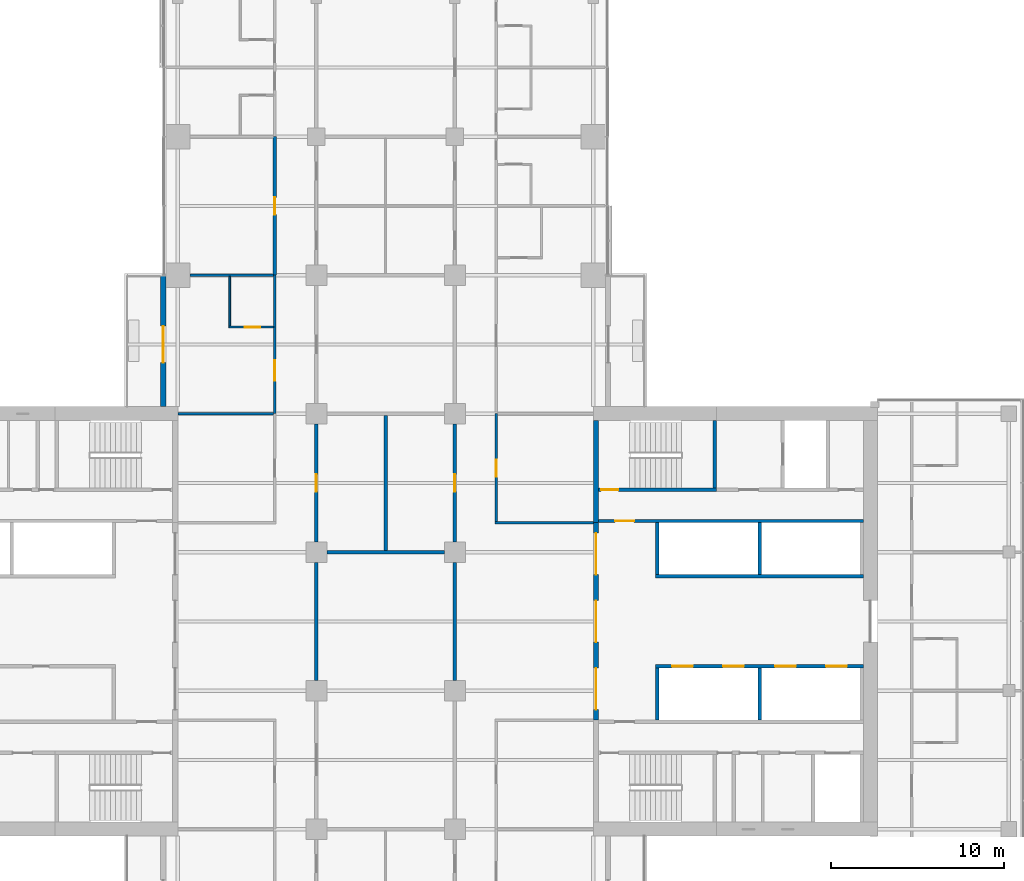
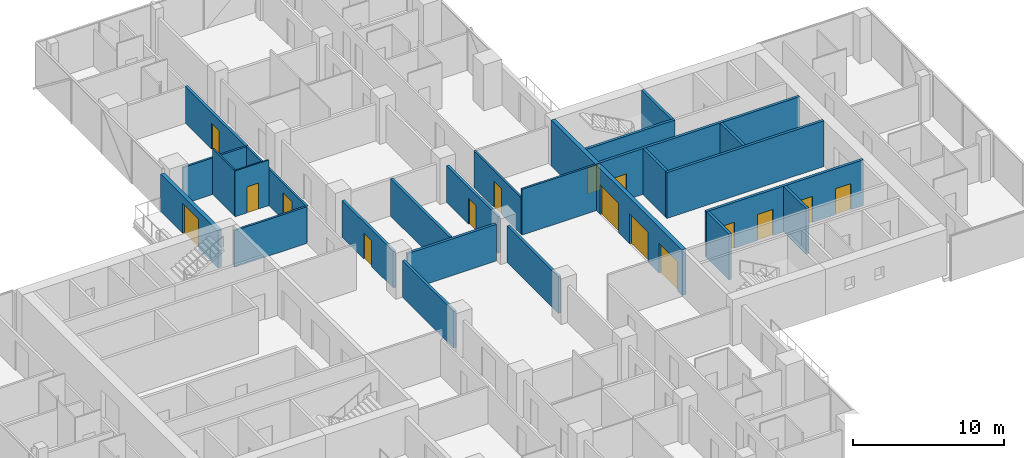
# One storey, part 19 of 27: 26 walls, 16 doors, 16 openings.
"""IFC4 building model written with IfcOpenShell, lengths in metres."""

from ifc_helpers import new_model, si_unit, direction, frame, frame_2d, origin, place, context, subcontext, project, spatial, rectangle, extrude, material, layer, layer_set, type_object, element, fill, save


model = new_model("IFC4")

# Units and contexts
model_context = context("Model", 3, precision=1e-05, world=origin(), true_north=direction((0.0, 1.0)))
body_context = subcontext(model_context, "Body", "Model", "MODEL_VIEW")
ifc_project = project(units=[si_unit("LENGTHUNIT", "METRE"), si_unit("AREAUNIT", "SQUARE_METRE"), si_unit("VOLUMEUNIT", "CUBIC_METRE"), si_unit("PLANEANGLEUNIT", "RADIAN"), si_unit("MASSUNIT", "GRAM", prefix="KILO")], contexts=[model_context])

# Site, building, storey
site_placement = place(None, origin())
site = spatial("IfcSite", under=ifc_project, at=site_placement, CompositionType="ELEMENT")
building_placement = place(site_placement, origin())
building = spatial("IfcBuilding", under=site, at=building_placement, Name="Crosswind Convention Tower", CompositionType="ELEMENT")
storey_placement = place(building_placement, frame((0.0, 0.0, 79.39990234375)))
storey = spatial("IfcBuildingStorey", under=building, at=storey_placement, Name="L14", CompositionType="ELEMENT", Elevation=79.39990234375)

# Wall
ifc_material_1 = material(Name="Plasterboard partition", Category="gypsum")
ifc_layer_1 = layer(ifc_material_1, 0.14990234375)
ifc_layer_set_1 = layer_set([ifc_layer_1], Name="CORRIDOR WALL 150")
wall_type_1 = type_object("IfcWallType", Name="CORRIDOR WALL 150", PredefinedType="PARTITIONING", material=ifc_layer_set_1)
wall_1_placement = place(storey_placement, frame((131.324951171875, 105.699951171875, 0.0), z_axis=(0.0, 0.0, 1.0), x_axis=(1.0, 0.0, 0.0)))
element("IfcWall", 1, at=wall_1_placement, inside=storey, type_object=wall_type_1, Name="Corridor Wall 40", PredefinedType="PARTITIONING", context=body_context, shape_type="SweptSolid", body=[
    extrude(rectangle(XDim=5.675048828125, YDim=0.14990234375, at=frame_2d((2.83740234375, 0.0))), origin(), (0.0, 0.0, 1.0), 3.7001953125),
])

# Wall, opening, door
wall_2_placement = place(storey_placement, frame((131.39990234375, 105.77490234375, 0.0), z_axis=(0.0, 0.0, 1.0), x_axis=(0.0, 1.0, 0.0)))
wall_2 = element("IfcWall", 2, at=wall_2_placement, inside=storey, type_object=wall_type_1, Name="Corridor Wall 111", PredefinedType="PARTITIONING", context=body_context, shape_type="SweptSolid", body=[
    extrude(rectangle(XDim=6.22509765625, YDim=0.14990234375, at=frame_2d((3.112548828125, 0.0))), origin(), (0.0, 0.0, 1.0), 2.95654296875),
])
opening_1_placement = place(wall_2_placement, frame((2.574951171875, 0.0, 0.0)))
opening_1 = element("IfcOpeningElement", 3, at=opening_1_placement, cuts=wall_2, Name="Opening 14.001", PredefinedType="OPENING", context=body_context, shape_type="SweptSolid", body=[
    extrude(rectangle(XDim=1.0, YDim=2.10009765625, at=frame_2d((0.5, 1.050048828125))), frame((0.0, 0.0849609375, 0.0), z_axis=(0.0, -1.0, 0.0), x_axis=(1.0, 0.0, 0.0)), (0.0, 0.0, 1.0), 0.169921875),
])
ifc_material_2 = material(Name="Timber fire door", Category="wood")
door_type_1 = type_object("IfcDoorType", Name="SERVICE ROOM DOOR 1000X2100", OperationType="NOTDEFINED", PredefinedType="DOOR", material=ifc_material_2)
door_1_placement = place(opening_1_placement, frame((1.0, 0.0, 0.0), z_axis=(0.0, 0.0, 1.0), x_axis=(-1.0, 0.0, 0.0)))
door_1 = element("IfcDoor", 4, at=door_1_placement, inside=storey, type_object=door_type_1, Name="Door 14.001", ObjectType="D3", OperationType="SINGLE_SWING_LEFT", OverallHeight=2.10009765625, OverallWidth=1.0, PredefinedType="DOOR", context=body_context, shape_type="SweptSolid", body=[
    extrude(rectangle(XDim=1.0, YDim=2.10009765625, at=frame_2d((0.5, 1.050048828125))), frame((0.0, 0.02490234375, 0.0), z_axis=(0.0, -1.0, 0.0), x_axis=(1.0, 0.0, 0.0)), (0.0, 0.0, 1.0), 0.050048828125),
])
fill(opening_1, door_1)

# Wall, openings, doors
ifc_material_3 = material(Name="Concrete C50/60", Category="concrete")
ifc_layer_2 = layer(ifc_material_3, 0.300048828125)
ifc_layer_set_2 = layer_set([ifc_layer_2], Name="Concrete C50/60")
wall_type_2 = type_object("IfcWallType", Name="Concrete inner core wall 300", PredefinedType="SHEAR", material=ifc_layer_set_2)
wall_3_placement = place(storey_placement, frame((137.14990234375, 94.300048828125, 0.0), z_axis=(0.0, 0.0, 1.0), x_axis=(0.0, 1.0, 0.0)))
wall_3 = element("IfcWall", 5, at=wall_3_placement, inside=storey, type_object=wall_type_2, Name="Wall SCR E L14", PredefinedType="SHEAR", context=body_context, shape_type="SweptSolid", body=[
    extrude(rectangle(XDim=11.39990234375, YDim=0.300048828125, at=frame_2d((5.699951171875, 0.0))), origin(), (0.0, 0.0, 1.0), 3.7001953125),
])
opening_2_placement = place(wall_3_placement, frame((0.60009765625, 0.0, 0.0)))
opening_2 = element("IfcOpeningElement", 6, at=opening_2_placement, cuts=wall_3, Name="Opening D100", PredefinedType="OPENING", context=body_context, shape_type="SweptSolid", body=[
    extrude(rectangle(XDim=2.39990234375, YDim=2.39990234375, at=frame_2d((1.199951171875, 1.199951171875))), frame((0.0, 0.159912109375, 0.0), z_axis=(0.0, -1.0, 0.0), x_axis=(1.0, 0.0, 0.0)), (0.0, 0.0, 1.0), 0.320068359375),
])
opening_3_placement = place(wall_3_placement, frame((4.5, 0.0, 0.0)))
opening_3 = element("IfcOpeningElement", 7, at=opening_3_placement, cuts=wall_3, Name="Opening D100", PredefinedType="OPENING", context=body_context, shape_type="SweptSolid", body=[
    extrude(rectangle(XDim=2.39990234375, YDim=2.39990234375, at=frame_2d((1.199951171875, 1.199951171875))), frame((0.0, 0.159912109375, 0.0), z_axis=(0.0, -1.0, 0.0), x_axis=(1.0, 0.0, 0.0)), (0.0, 0.0, 1.0), 0.320068359375),
])
opening_4_placement = place(wall_3_placement, frame((8.39990234375, 0.0, 0.0)))
opening_4 = element("IfcOpeningElement", 8, at=opening_4_placement, cuts=wall_3, Name="Opening D100", PredefinedType="OPENING", context=body_context, shape_type="SweptSolid", body=[
    extrude(rectangle(XDim=2.39990234375, YDim=2.39990234375, at=frame_2d((1.199951171875, 1.199951171875))), frame((0.0, 0.159912109375, 0.0), z_axis=(0.0, -1.0, 0.0), x_axis=(1.0, 0.0, 0.0)), (0.0, 0.0, 1.0), 0.320068359375),
])
ifc_material_4 = material(Name="Steel fire door with glazed vision panels", Category="steel")
door_type_2 = type_object("IfcDoorType", Name="Fire-rated double door 2400x2400", OperationType="DOUBLE_DOOR_SINGLE_SWING", PredefinedType="DOOR", material=ifc_material_4)
door_2_placement = place(opening_2_placement, origin())
door_2 = element("IfcDoor", 9, at=door_2_placement, inside=storey, type_object=door_type_2, Name="Lobby door 1 L14", ObjectType="D100", OperationType="DOUBLE_DOOR_SINGLE_SWING", OverallHeight=2.39990234375, OverallWidth=2.39990234375, PredefinedType="DOOR", context=body_context, shape_type="SweptSolid", body=[
    extrude(rectangle(XDim=2.39990234375, YDim=2.39990234375, at=frame_2d((1.199951171875, 1.199951171875))), frame((0.0, 0.02490234375, 0.0), z_axis=(0.0, -1.0, 0.0), x_axis=(1.0, 0.0, 0.0)), (0.0, 0.0, 1.0), 0.050048828125),
])
fill(opening_2, door_2)
door_3_placement = place(opening_3_placement, origin())
door_3 = element("IfcDoor", 10, at=door_3_placement, inside=storey, type_object=door_type_2, Name="Lobby door 2 L14", ObjectType="D100", OperationType="DOUBLE_DOOR_SINGLE_SWING", OverallHeight=2.39990234375, OverallWidth=2.39990234375, PredefinedType="DOOR", context=body_context, shape_type="SweptSolid", body=[
    extrude(rectangle(XDim=2.39990234375, YDim=2.39990234375, at=frame_2d((1.199951171875, 1.199951171875))), frame((0.0, 0.02490234375, 0.0), z_axis=(0.0, -1.0, 0.0), x_axis=(1.0, 0.0, 0.0)), (0.0, 0.0, 1.0), 0.050048828125),
])
fill(opening_3, door_3)
door_4_placement = place(opening_4_placement, origin())
door_4 = element("IfcDoor", 11, at=door_4_placement, inside=storey, type_object=door_type_2, Name="Lobby door 3 L14", ObjectType="D100", OperationType="DOUBLE_DOOR_SINGLE_SWING", OverallHeight=2.39990234375, OverallWidth=2.39990234375, PredefinedType="DOOR", context=body_context, shape_type="SweptSolid", body=[
    extrude(rectangle(XDim=2.39990234375, YDim=2.39990234375, at=frame_2d((1.199951171875, 1.199951171875))), frame((0.0, 0.02490234375, 0.0), z_axis=(0.0, -1.0, 0.0), x_axis=(1.0, 0.0, 0.0)), (0.0, 0.0, 1.0), 0.050048828125),
])
fill(opening_4, door_4)

# Walls
wall_4_placement = place(storey_placement, frame((137.14990234375, 105.699951171875, 0.0), z_axis=(0.0, 0.0, 1.0), x_axis=(0.0, 1.0, 0.0)))
element("IfcWall", 12, at=wall_4_placement, inside=storey, type_object=wall_type_2, Name="Wall EP E L14", PredefinedType="SHEAR", context=body_context, shape_type="SweptSolid", body=[
    extrude(rectangle(XDim=5.900146484375, YDim=0.300048828125, at=frame_2d((2.9501953125, 0.0))), origin(), (0.0, 0.0, 1.0), 3.7001953125),
])
ifc_layer_3 = layer(ifc_material_3, 0.199951171875)
ifc_layer_set_3 = layer_set([ifc_layer_3], Name="Concrete C50/60")
wall_type_3 = type_object("IfcWallType", Name="Concrete shaft and stair wall 200", PredefinedType="SHEAR", material=ifc_layer_set_3)
for number, where, z_axis, x_axis, name in (
    (13, (140.699951171875, 102.699951171875, 0.0), (0.0, 0.0, 1.0), (0.0, 1.0, 0.0), "Wall RPEND E L14"),
    (14, (146.60009765625, 102.699951171875, 0.0), (0.0, 0.0, 1.0), (0.0, 1.0, 0.0), "Wall RPSEP E L14"),
):
    element("IfcWall", number, at=place(storey_placement, frame(where, z_axis=z_axis, x_axis=x_axis)), inside=storey, type_object=wall_type_3, Name=name, PredefinedType="SHEAR", context=body_context, shape_type="SweptSolid", body=[
        extrude(rectangle(XDim=3.0, YDim=0.199951171875, at=frame_2d((1.5, 0.0))), origin(), (0.0, 0.0, 1.0), 3.7001953125),
    ])
wall_5_placement = place(storey_placement, frame((140.60009765625, 102.60009765625, 0.0), z_axis=(0.0, 0.0, 1.0), x_axis=(1.0, 0.0, 0.0)))
element("IfcWall", 15, at=wall_5_placement, inside=storey, type_object=wall_type_3, Name="Wall RPFRONT E L14", PredefinedType="SHEAR", context=body_context, shape_type="SweptSolid", body=[
    extrude(rectangle(XDim=12.0, YDim=0.199951171875, at=frame_2d((6.0, 0.0))), origin(), (0.0, 0.0, 1.0), 3.7001953125),
])
for number, where, z_axis, x_axis, name in (
    (16, (140.699951171875, 94.300048828125, 0.0), (0.0, 0.0, 1.0), (0.0, 1.0, 0.0), "Wall RMEND E L14"),
    (17, (146.60009765625, 94.300048828125, 0.0), (0.0, 0.0, 1.0), (0.0, 1.0, 0.0), "Wall RMSEP E L14"),
):
    element("IfcWall", number, at=place(storey_placement, frame(where, z_axis=z_axis, x_axis=x_axis)), inside=storey, type_object=wall_type_3, Name=name, PredefinedType="SHEAR", context=body_context, shape_type="SweptSolid", body=[
        extrude(rectangle(XDim=3.0, YDim=0.199951171875, at=frame_2d((1.5, 0.0))), origin(), (0.0, 0.0, 1.0), 3.7001953125),
    ])

# Wall, openings, doors
wall_6_placement = place(storey_placement, frame((140.60009765625, 97.39990234375, 0.0), z_axis=(0.0, 0.0, 1.0), x_axis=(1.0, 0.0, 0.0)))
wall_6 = element("IfcWall", 18, at=wall_6_placement, inside=storey, type_object=wall_type_3, Name="Wall RMFRONT E L14", PredefinedType="SHEAR", context=body_context, shape_type="SweptSolid", body=[
    extrude(rectangle(XDim=12.0, YDim=0.199951171875, at=frame_2d((6.0, 0.0))), origin(), (0.0, 0.0, 1.0), 3.7001953125),
])
opening_5_placement = place(wall_6_placement, frame((0.949951171875, 0.0, 0.0)))
opening_5 = element("IfcOpeningElement", 19, at=opening_5_placement, cuts=wall_6, Name="Opening LD1", PredefinedType="OPENING", context=body_context, shape_type="SweptSolid", body=[
    extrude(rectangle(XDim=1.199951171875, YDim=2.10009765625, at=frame_2d((0.60009765625, 1.050048828125))), frame((0.0, 0.10986328125, 0.0), z_axis=(0.0, -1.0, 0.0), x_axis=(1.0, 0.0, 0.0)), (0.0, 0.0, 1.0), 0.219970703125),
])
opening_6_placement = place(wall_6_placement, frame((3.89990234375, 0.0, 0.0)))
opening_6 = element("IfcOpeningElement", 20, at=opening_6_placement, cuts=wall_6, Name="Opening LD1", PredefinedType="OPENING", context=body_context, shape_type="SweptSolid", body=[
    extrude(rectangle(XDim=1.199951171875, YDim=2.10009765625, at=frame_2d((0.60009765625, 1.050048828125))), frame((0.0, 0.10986328125, 0.0), z_axis=(0.0, -1.0, 0.0), x_axis=(1.0, 0.0, 0.0)), (0.0, 0.0, 1.0), 0.219970703125),
])
opening_7_placement = place(wall_6_placement, frame((6.89990234375, 0.0, 0.0)))
opening_7 = element("IfcOpeningElement", 21, at=opening_7_placement, cuts=wall_6, Name="Opening LD1", PredefinedType="OPENING", context=body_context, shape_type="SweptSolid", body=[
    extrude(rectangle(XDim=1.199951171875, YDim=2.10009765625, at=frame_2d((0.60009765625, 1.050048828125))), frame((0.0, 0.10986328125, 0.0), z_axis=(0.0, -1.0, 0.0), x_axis=(1.0, 0.0, 0.0)), (0.0, 0.0, 1.0), 0.219970703125),
])
opening_8_placement = place(wall_6_placement, frame((9.85009765625, 0.0, 0.0)))
opening_8 = element("IfcOpeningElement", 22, at=opening_8_placement, cuts=wall_6, Name="Opening LD1", PredefinedType="OPENING", context=body_context, shape_type="SweptSolid", body=[
    extrude(rectangle(XDim=1.199951171875, YDim=2.10009765625, at=frame_2d((0.60009765625, 1.050048828125))), frame((0.0, 0.10986328125, 0.0), z_axis=(0.0, -1.0, 0.0), x_axis=(1.0, 0.0, 0.0)), (0.0, 0.0, 1.0), 0.219970703125),
])
ifc_material_5 = material(Name="Stainless steel", Category="steel")
door_type_3 = type_object("IfcDoorType", Name="Lift landing door 1200x2100", OperationType="DOUBLE_DOOR_SLIDING", PredefinedType="DOOR", material=ifc_material_5)
door_5_placement = place(opening_5_placement, origin())
door_5 = element("IfcDoor", 23, at=door_5_placement, inside=storey, type_object=door_type_3, Name="Landing door H1 L14", ObjectType="LD1", OperationType="DOUBLE_DOOR_SLIDING", OverallHeight=2.10009765625, OverallWidth=1.199951171875, PredefinedType="DOOR", context=body_context, shape_type="SweptSolid", body=[
    extrude(rectangle(XDim=1.199951171875, YDim=2.10009765625, at=frame_2d((0.60009765625, 1.050048828125))), frame((0.0, 0.02490234375, 0.0), z_axis=(0.0, -1.0, 0.0), x_axis=(1.0, 0.0, 0.0)), (0.0, 0.0, 1.0), 0.050048828125),
])
fill(opening_5, door_5)
door_6_placement = place(opening_6_placement, origin())
door_6 = element("IfcDoor", 24, at=door_6_placement, inside=storey, type_object=door_type_3, Name="Landing door H2 L14", ObjectType="LD1", OperationType="DOUBLE_DOOR_SLIDING", OverallHeight=2.10009765625, OverallWidth=1.199951171875, PredefinedType="DOOR", context=body_context, shape_type="SweptSolid", body=[
    extrude(rectangle(XDim=1.199951171875, YDim=2.10009765625, at=frame_2d((0.60009765625, 1.050048828125))), frame((0.0, 0.02490234375, 0.0), z_axis=(0.0, -1.0, 0.0), x_axis=(1.0, 0.0, 0.0)), (0.0, 0.0, 1.0), 0.050048828125),
])
fill(opening_6, door_6)
door_7_placement = place(opening_7_placement, origin())
door_7 = element("IfcDoor", 25, at=door_7_placement, inside=storey, type_object=door_type_3, Name="Landing door H3 L14", ObjectType="LD1", OperationType="DOUBLE_DOOR_SLIDING", OverallHeight=2.10009765625, OverallWidth=1.199951171875, PredefinedType="DOOR", context=body_context, shape_type="SweptSolid", body=[
    extrude(rectangle(XDim=1.199951171875, YDim=2.10009765625, at=frame_2d((0.60009765625, 1.050048828125))), frame((0.0, 0.02490234375, 0.0), z_axis=(0.0, -1.0, 0.0), x_axis=(1.0, 0.0, 0.0)), (0.0, 0.0, 1.0), 0.050048828125),
])
fill(opening_7, door_7)
door_8_placement = place(opening_8_placement, origin())
door_8 = element("IfcDoor", 26, at=door_8_placement, inside=storey, type_object=door_type_3, Name="Landing door H4 L14", ObjectType="LD1", OperationType="DOUBLE_DOOR_SLIDING", OverallHeight=2.10009765625, OverallWidth=1.199951171875, PredefinedType="DOOR", context=body_context, shape_type="SweptSolid", body=[
    extrude(rectangle(XDim=1.199951171875, YDim=2.10009765625, at=frame_2d((0.60009765625, 1.050048828125))), frame((0.0, 0.02490234375, 0.0), z_axis=(0.0, -1.0, 0.0), x_axis=(1.0, 0.0, 0.0)), (0.0, 0.0, 1.0), 0.050048828125),
])
fill(opening_8, door_8)

# Wall, opening, door
wall_7_placement = place(storey_placement, frame((137.300048828125, 105.800048828125, 0.0), z_axis=(0.0, 0.0, 1.0), x_axis=(1.0, 0.0, 0.0)))
wall_7 = element("IfcWall", 27, at=wall_7_placement, inside=storey, type_object=wall_type_3, Name="Wall HP E L14", PredefinedType="SHEAR", context=body_context, shape_type="SweptSolid", body=[
    extrude(rectangle(XDim=15.300048828125, YDim=0.199951171875, at=frame_2d((7.64990234375, 0.0))), origin(), (0.0, 0.0, 1.0), 3.7001953125),
])
opening_9_placement = place(wall_7_placement, frame((0.949951171875, 0.0, 0.0)))
opening_9 = element("IfcOpeningElement", 28, at=opening_9_placement, cuts=wall_7, Name="Opening D104", PredefinedType="OPENING", context=body_context, shape_type="SweptSolid", body=[
    extrude(rectangle(XDim=1.10009765625, YDim=2.10009765625, at=frame_2d((0.550048828125, 1.050048828125))), frame((0.0, 0.10986328125, 0.0), z_axis=(0.0, -1.0, 0.0), x_axis=(1.0, 0.0, 0.0)), (0.0, 0.0, 1.0), 0.219970703125),
])
ifc_material_6 = material(Name="Steel fire door", Category="steel")
door_type_4 = type_object("IfcDoorType", Name="Fire-rated single door 1100x2100", OperationType="NOTDEFINED", PredefinedType="DOOR", material=ifc_material_6)
door_9_placement = place(opening_9_placement, origin())
door_9 = element("IfcDoor", 29, at=door_9_placement, inside=storey, type_object=door_type_4, Name="Corridor door L14", ObjectType="D104", OperationType="SINGLE_SWING_LEFT", OverallHeight=2.10009765625, OverallWidth=1.10009765625, PredefinedType="DOOR", context=body_context, shape_type="SweptSolid", body=[
    extrude(rectangle(XDim=1.10009765625, YDim=2.10009765625, at=frame_2d((0.550048828125, 1.050048828125))), frame((0.0, 0.02490234375, 0.0), z_axis=(0.0, -1.0, 0.0), x_axis=(1.0, 0.0, 0.0)), (0.0, 0.0, 1.0), 0.050048828125),
])
fill(opening_9, door_9)

# Wall
wall_8_placement = place(storey_placement, frame((144.0, 107.699951171875, 0.0), z_axis=(0.0, 0.0, 1.0), x_axis=(0.0, 1.0, 0.0)))
element("IfcWall", 30, at=wall_8_placement, inside=storey, type_object=wall_type_3, Name="Wall PSE E L14", PredefinedType="SHEAR", context=body_context, shape_type="SweptSolid", body=[
    extrude(rectangle(XDim=3.900146484375, YDim=0.199951171875, at=frame_2d((1.9501953125, 0.0))), origin(), (0.0, 0.0, 1.0), 3.7001953125),
])

# Wall, opening, door
wall_9_placement = place(storey_placement, frame((137.300048828125, 107.60009765625, 0.0), z_axis=(0.0, 0.0, 1.0), x_axis=(1.0, 0.0, 0.0)))
wall_9 = element("IfcWall", 31, at=wall_9_placement, inside=storey, type_object=wall_type_3, Name="Wall PCW E L14", PredefinedType="SHEAR", context=body_context, shape_type="SweptSolid", body=[
    extrude(rectangle(XDim=6.800048828125, YDim=0.199951171875, at=frame_2d((3.39990234375, 0.0))), origin(), (0.0, 0.0, 1.0), 3.7001953125),
])
opening_10_placement = place(wall_9_placement, frame((0.14990234375, 0.0, 0.0)))
opening_10 = element("IfcOpeningElement", 32, at=opening_10_placement, cuts=wall_9, Name="Opening D103", PredefinedType="OPENING", context=body_context, shape_type="SweptSolid", body=[
    extrude(rectangle(XDim=1.0, YDim=2.10009765625, at=frame_2d((0.5, 1.050048828125))), frame((0.0, 0.10986328125, 0.0), z_axis=(0.0, -1.0, 0.0), x_axis=(1.0, 0.0, 0.0)), (0.0, 0.0, 1.0), 0.219970703125),
])
door_type_5 = type_object("IfcDoorType", Name="Fire-rated single door 1000x2100", OperationType="NOTDEFINED", PredefinedType="DOOR", material=ifc_material_6)
door_10_placement = place(opening_10_placement, origin())
door_10 = element("IfcDoor", 33, at=door_10_placement, inside=storey, type_object=door_type_5, Name="Stair ST1 door L14", ObjectType="D103", OperationType="SINGLE_SWING_LEFT", OverallHeight=2.10009765625, OverallWidth=1.0, PredefinedType="DOOR", context=body_context, shape_type="SweptSolid", body=[
    extrude(rectangle(XDim=1.0, YDim=2.10009765625, at=frame_2d((0.5, 1.050048828125))), frame((0.0, 0.02490234375, 0.0), z_axis=(0.0, -1.0, 0.0), x_axis=(1.0, 0.0, 0.0)), (0.0, 0.0, 1.0), 0.050048828125),
])
fill(opening_10, door_10)

# Walls
ifc_material_7 = material(Name="Acoustic plasterboard partition", Category="gypsum")
ifc_layer_4 = layer(ifc_material_7, 0.14990234375)
ifc_layer_set_4 = layer_set([ifc_layer_4], Name="GUEST ROOM WALL 150")
wall_type_4 = type_object("IfcWallType", Name="GUEST ROOM WALL 150", PredefinedType="PARTITIONING", material=ifc_layer_set_4)
wall_10_placement = place(storey_placement, frame((113.0, 112.0, 0.0), z_axis=(0.0, 0.0, 1.0), x_axis=(1.0, 0.0, 0.0)))
element("IfcWall", 34, at=wall_10_placement, inside=storey, type_object=wall_type_4, Name="Guest Room Wall 42", PredefinedType="PARTITIONING", context=body_context, shape_type="SweptSolid", body=[
    extrude(rectangle(XDim=5.52490234375, YDim=0.14990234375, at=frame_2d((2.762451171875, 0.0))), origin(), (0.0, 0.0, 1.0), 2.95654296875),
])
wall_11_placement = place(storey_placement, frame((113.699951171875, 120.0, 0.0), z_axis=(0.0, 0.0, 1.0), x_axis=(1.0, 0.0, 0.0)))
element("IfcWall", 35, at=wall_11_placement, inside=storey, type_object=wall_type_4, Name="Guest Room Wall 46", PredefinedType="PARTITIONING", context=body_context, shape_type="SweptSolid", body=[
    extrude(rectangle(XDim=4.824951171875, YDim=0.14990234375, at=frame_2d((2.41259765625, 0.0))), origin(), (0.0, 0.0, 1.0), 2.9599609375),
])

# Wall, opening, door
wall_12_placement = place(storey_placement, frame((118.60009765625, 112.0, 0.0), z_axis=(0.0, 0.0, 1.0), x_axis=(0.0, 1.0, 0.0)))
wall_12 = element("IfcWall", 36, at=wall_12_placement, inside=storey, type_object=wall_type_4, Name="Guest Room Wall 76", PredefinedType="PARTITIONING", context=body_context, shape_type="SweptSolid", body=[
    extrude(rectangle(XDim=8.0, YDim=0.14990234375, at=frame_2d((4.0, 0.0))), origin(), (0.0, 0.0, 1.0), 2.95654296875),
])
opening_11_placement = place(wall_12_placement, frame((1.89990234375, 0.0, 0.0)))
opening_11 = element("IfcOpeningElement", 37, at=opening_11_placement, cuts=wall_12, Name="Opening 14.013", PredefinedType="OPENING", context=body_context, shape_type="SweptSolid", body=[
    extrude(rectangle(XDim=1.199951171875, YDim=2.199951171875, at=frame_2d((0.60009765625, 1.10009765625))), frame((0.0, 0.0849609375, 0.0), z_axis=(0.0, -1.0, 0.0), x_axis=(1.0, 0.0, 0.0)), (0.0, 0.0, 1.0), 0.169921875),
])
door_type_6 = type_object("IfcDoorType", Name="SUITE DOOR 1200X2200", OperationType="DOUBLE_DOOR_SINGLE_SWING", PredefinedType="DOOR", material=ifc_material_2)
door_11_placement = place(opening_11_placement, origin())
door_11 = element("IfcDoor", 38, at=door_11_placement, inside=storey, type_object=door_type_6, Name="Door 14.013", ObjectType="D14", OperationType="DOUBLE_DOOR_SINGLE_SWING", OverallHeight=2.199951171875, OverallWidth=1.199951171875, PredefinedType="DOOR", context=body_context, shape_type="SweptSolid", body=[
    extrude(rectangle(XDim=1.199951171875, YDim=2.199951171875, at=frame_2d((0.60009765625, 1.10009765625))), frame((0.0, 0.02490234375, 0.0), z_axis=(0.0, -1.0, 0.0), x_axis=(1.0, 0.0, 0.0)), (0.0, 0.0, 1.0), 0.050048828125),
])
fill(opening_11, door_11)

# Wall
ifc_material_8 = material(Name="Double plasterboard partition", Category="gypsum")
ifc_layer_5 = layer(ifc_material_8, 0.199951171875)
ifc_layer_set_5 = layer_set([ifc_layer_5], Name="HALL WALL 200")
wall_type_5 = type_object("IfcWallType", Name="HALL WALL 200", PredefinedType="PARTITIONING", material=ifc_layer_set_5)
wall_13_placement = place(storey_placement, frame((121.60009765625, 104.0, 0.0), z_axis=(0.0, 0.0, 1.0), x_axis=(1.0, 0.0, 0.0)))
element("IfcWall", 39, at=wall_13_placement, inside=storey, type_object=wall_type_5, Name="Hall Wall 36", PredefinedType="PARTITIONING", context=body_context, shape_type="SweptSolid", body=[
    extrude(rectangle(XDim=6.7998046875, YDim=0.199951171875, at=frame_2d((3.39990234375, 0.0))), origin(), (0.0, 0.0, 1.0), 2.9599609375),
])

# Wall, opening, door
wall_14_placement = place(storey_placement, frame((118.60009765625, 120.0, 0.0), z_axis=(0.0, 0.0, 1.0), x_axis=(0.0, 1.0, 0.0)))
wall_14 = element("IfcWall", 40, at=wall_14_placement, inside=storey, type_object=wall_type_5, Name="Hall Wall 77", PredefinedType="PARTITIONING", context=body_context, shape_type="SweptSolid", body=[
    extrude(rectangle(XDim=8.0, YDim=0.199951171875, at=frame_2d((4.0, 0.0))), origin(), (0.0, 0.0, 1.0), 2.9599609375),
])
opening_12_placement = place(wall_14_placement, frame((3.5, 0.0, 0.0)))
opening_12 = element("IfcOpeningElement", 41, at=opening_12_placement, cuts=wall_14, Name="Opening 14.015", PredefinedType="OPENING", context=body_context, shape_type="SweptSolid", body=[
    extrude(rectangle(XDim=1.0, YDim=2.10009765625, at=frame_2d((0.5, 1.050048828125))), frame((0.0, 0.10986328125, 0.0), z_axis=(0.0, -1.0, 0.0), x_axis=(1.0, 0.0, 0.0)), (0.0, 0.0, 1.0), 0.219970703125),
])
door_type_7 = type_object("IfcDoorType", Name="MEETING ROOM DOOR 1000X2100", OperationType="NOTDEFINED", PredefinedType="DOOR", material=ifc_material_2)
door_12_placement = place(opening_12_placement, frame((1.0, 0.0, 0.0), z_axis=(0.0, 0.0, 1.0), x_axis=(-1.0, 0.0, 0.0)))
door_12 = element("IfcDoor", 42, at=door_12_placement, inside=storey, type_object=door_type_7, Name="Door 14.015", ObjectType="D13", OperationType="SINGLE_SWING_LEFT", OverallHeight=2.10009765625, OverallWidth=1.0, PredefinedType="DOOR", context=body_context, shape_type="SweptSolid", body=[
    extrude(rectangle(XDim=1.0, YDim=2.10009765625, at=frame_2d((0.5, 1.050048828125))), frame((0.0, 0.02490234375, 0.0), z_axis=(0.0, -1.0, 0.0), x_axis=(1.0, 0.0, 0.0)), (0.0, 0.0, 1.0), 0.050048828125),
])
fill(opening_12, door_12)

# Wall
wall_15_placement = place(storey_placement, frame((121.0, 96.60009765625, 0.0), z_axis=(0.0, 0.0, 1.0), x_axis=(0.0, 1.0, 0.0)))
element("IfcWall", 43, at=wall_15_placement, inside=storey, type_object=wall_type_5, Name="Hall Wall 84", PredefinedType="PARTITIONING", context=body_context, shape_type="SweptSolid", body=[
    extrude(rectangle(XDim=6.7998046875, YDim=0.199951171875, at=frame_2d((3.39990234375, 0.0))), origin(), (0.0, 0.0, 1.0), 2.9599609375),
])

# Wall, opening, door
wall_16_placement = place(storey_placement, frame((121.0, 104.60009765625, 0.0), z_axis=(0.0, 0.0, 1.0), x_axis=(0.0, 1.0, 0.0)))
wall_16 = element("IfcWall", 44, at=wall_16_placement, inside=storey, type_object=wall_type_5, Name="Hall Wall 85", PredefinedType="PARTITIONING", context=body_context, shape_type="SweptSolid", body=[
    extrude(rectangle(XDim=6.7998046875, YDim=0.199951171875, at=frame_2d((3.39990234375, 0.0))), origin(), (0.0, 0.0, 1.0), 2.9599609375),
])
opening_13_placement = place(wall_16_placement, frame((2.89990234375, 0.0, 0.0)))
opening_13 = element("IfcOpeningElement", 45, at=opening_13_placement, cuts=wall_16, Name="Opening 14.056", PredefinedType="OPENING", context=body_context, shape_type="SweptSolid", body=[
    extrude(rectangle(XDim=1.0, YDim=2.10009765625, at=frame_2d((0.5, 1.050048828125))), frame((0.0, 0.10986328125, 0.0), z_axis=(0.0, -1.0, 0.0), x_axis=(1.0, 0.0, 0.0)), (0.0, 0.0, 1.0), 0.219970703125),
])
door_13_placement = place(opening_13_placement, frame((1.0, 0.0, 0.0), z_axis=(0.0, 0.0, 1.0), x_axis=(-1.0, 0.0, 0.0)))
door_13 = element("IfcDoor", 46, at=door_13_placement, inside=storey, type_object=door_type_7, Name="Door 14.056", ObjectType="D13", OperationType="SINGLE_SWING_LEFT", OverallHeight=2.10009765625, OverallWidth=1.0, PredefinedType="DOOR", context=body_context, shape_type="SweptSolid", body=[
    extrude(rectangle(XDim=1.0, YDim=2.10009765625, at=frame_2d((0.5, 1.050048828125))), frame((0.0, 0.02490234375, 0.0), z_axis=(0.0, -1.0, 0.0), x_axis=(1.0, 0.0, 0.0)), (0.0, 0.0, 1.0), 0.050048828125),
])
fill(opening_13, door_13)

# Walls
wall_17_placement = place(storey_placement, frame((125.0, 104.10009765625, 0.0), z_axis=(0.0, 0.0, 1.0), x_axis=(0.0, 1.0, 0.0)))
element("IfcWall", 47, at=wall_17_placement, inside=storey, type_object=wall_type_5, Name="Hall Wall 93", PredefinedType="PARTITIONING", context=body_context, shape_type="SweptSolid", body=[
    extrude(rectangle(XDim=7.7998046875, YDim=0.199951171875, at=frame_2d((3.89990234375, 0.0))), origin(), (0.0, 0.0, 1.0), 3.013671875),
])
wall_18_placement = place(storey_placement, frame((129.0, 96.60009765625, 0.0), z_axis=(0.0, 0.0, 1.0), x_axis=(0.0, 1.0, 0.0)))
element("IfcWall", 48, at=wall_18_placement, inside=storey, type_object=wall_type_5, Name="Hall Wall 102", PredefinedType="PARTITIONING", context=body_context, shape_type="SweptSolid", body=[
    extrude(rectangle(XDim=6.7998046875, YDim=0.199951171875, at=frame_2d((3.39990234375, 0.0))), origin(), (0.0, 0.0, 1.0), 2.9599609375),
])

# Wall, opening, door
wall_19_placement = place(storey_placement, frame((129.0, 104.60009765625, 0.0), z_axis=(0.0, 0.0, 1.0), x_axis=(0.0, 1.0, 0.0)))
wall_19 = element("IfcWall", 49, at=wall_19_placement, inside=storey, type_object=wall_type_5, Name="Hall Wall 103", PredefinedType="PARTITIONING", context=body_context, shape_type="SweptSolid", body=[
    extrude(rectangle(XDim=6.7998046875, YDim=0.199951171875, at=frame_2d((3.39990234375, 0.0))), origin(), (0.0, 0.0, 1.0), 2.9599609375),
])
opening_14_placement = place(wall_19_placement, frame((2.89990234375, 0.0, 0.0)))
opening_14 = element("IfcOpeningElement", 50, at=opening_14_placement, cuts=wall_19, Name="Opening 14.057", PredefinedType="OPENING", context=body_context, shape_type="SweptSolid", body=[
    extrude(rectangle(XDim=1.0, YDim=2.10009765625, at=frame_2d((0.5, 1.050048828125))), frame((0.0, 0.10986328125, 0.0), z_axis=(0.0, -1.0, 0.0), x_axis=(1.0, 0.0, 0.0)), (0.0, 0.0, 1.0), 0.219970703125),
])
door_14_placement = place(opening_14_placement, origin())
door_14 = element("IfcDoor", 51, at=door_14_placement, inside=storey, type_object=door_type_7, Name="Door 14.057", ObjectType="D13", OperationType="SINGLE_SWING_RIGHT", OverallHeight=2.10009765625, OverallWidth=1.0, PredefinedType="DOOR", context=body_context, shape_type="SweptSolid", body=[
    extrude(rectangle(XDim=1.0, YDim=2.10009765625, at=frame_2d((0.5, 1.050048828125))), frame((0.0, 0.02490234375, 0.0), z_axis=(0.0, -1.0, 0.0), x_axis=(1.0, 0.0, 0.0)), (0.0, 0.0, 1.0), 0.050048828125),
])
fill(opening_14, door_14)

ifc_material_9 = material(Name="Terracotta rainscreen", Category="ceramic")
ifc_layer_6 = layer(ifc_material_9, 0.02001953125)
ifc_material_10 = material(Name="Mineral wool insulation", Category="insulation")
ifc_layer_7 = layer(ifc_material_10, 0.10009765625)
ifc_material_11 = material(Name="Concrete blockwork", Category="masonry")
ifc_layer_8 = layer(ifc_material_11, 0.179931640625)
ifc_layer_set_6 = layer_set([ifc_layer_6, ifc_layer_7, ifc_layer_8], Name="TERRACOTTA INFILL WALL 300")
wall_type_6 = type_object("IfcWallType", Name="TERRACOTTA INFILL WALL 300", PredefinedType="SOLIDWALL", material=ifc_layer_set_6)
wall_20_placement = place(storey_placement, frame((112.14990234375, 119.967529296875, 0.0), z_axis=(0.0, 0.0, 1.0), x_axis=(0.0, -1.0, 0.0)))
wall_20 = element("IfcWall", 52, at=wall_20_placement, inside=storey, type_object=wall_type_6, Name="Notch front wall L14 N-W.1-3", PredefinedType="SOLIDWALL", context=body_context, shape_type="SweptSolid", body=[
    extrude(rectangle(XDim=7.567626953125, YDim=0.300048828125, at=frame_2d((3.78369140625, 0.0))), origin(), (0.0, 0.0, 1.0), 3.013671875),
])
opening_15_placement = place(wall_20_placement, frame((2.91748046875, 0.0, 0.0)))
opening_15 = element("IfcOpeningElement", 53, at=opening_15_placement, cuts=wall_20, Name="Opening D141", PredefinedType="OPENING", context=body_context, shape_type="SweptSolid", body=[
    extrude(rectangle(XDim=2.10009765625, YDim=2.39990234375, at=frame_2d((1.050048828125, 1.199951171875))), frame((0.0, 0.159912109375, 0.0), z_axis=(0.0, -1.0, 0.0), x_axis=(1.0, 0.0, 0.0)), (0.0, 0.0, 1.0), 0.320068359375),
])
ifc_material_12 = material(Name="Aluminium glazed door", Category="aluminium")
door_type_8 = type_object("IfcDoorType", Name="BALCONY SLIDING DOOR 2100X2400", OperationType="SLIDING_TO_LEFT", PredefinedType="DOOR", material=ifc_material_12)
door_15_placement = place(opening_15_placement, frame((2.10009765625, 0.0, 0.0), z_axis=(0.0, 0.0, 1.0), x_axis=(-1.0, 0.0, 0.0)))
door_15 = element("IfcDoor", 54, at=door_15_placement, inside=storey, type_object=door_type_8, Name="D141 balcony door L14 N-W.1-3", ObjectType="D141", OperationType="SLIDING_TO_LEFT", OverallHeight=2.39990234375, OverallWidth=2.10009765625, PredefinedType="DOOR", context=body_context, shape_type="SweptSolid", body=[
    extrude(rectangle(XDim=2.10009765625, YDim=2.39990234375, at=frame_2d((1.050048828125, 1.199951171875))), frame((0.0, 0.02490234375, 0.0), z_axis=(0.0, -1.0, 0.0), x_axis=(1.0, 0.0, 0.0)), (0.0, 0.0, 1.0), 0.050048828125),
])
fill(opening_15, door_15)

ifc_material_13 = material(Name="Water-resistant plasterboard partition", Category="gypsum")
ifc_layer_9 = layer(ifc_material_13, 0.10009765625)
ifc_layer_set_7 = layer_set([ifc_layer_9], Name="WET ROOM PARTITION 100")
wall_type_7 = type_object("IfcWallType", Name="WET ROOM PARTITION 100", PredefinedType="PLUMBINGWALL", material=ifc_layer_set_7)
wall_21_placement = place(storey_placement, frame((115.949951171875, 117.0, 0.0), z_axis=(0.0, 0.0, 1.0), x_axis=(1.0, 0.0, 0.0)))
wall_21 = element("IfcWall", 55, at=wall_21_placement, inside=storey, type_object=wall_type_7, Name="Wet Room Partition 45", PredefinedType="PLUMBINGWALL", context=body_context, shape_type="SweptSolid", body=[
    extrude(rectangle(XDim=2.574951171875, YDim=0.10009765625, at=frame_2d((1.28759765625, 0.0))), origin(), (0.0, 0.0, 1.0), 3.7001953125),
])
opening_16_placement = place(wall_21_placement, frame((0.89990234375, 0.0, 0.0)))
opening_16 = element("IfcOpeningElement", 56, at=opening_16_placement, cuts=wall_21, Name="Opening 14.014", PredefinedType="OPENING", context=body_context, shape_type="SweptSolid", body=[
    extrude(rectangle(XDim=0.89990234375, YDim=2.10009765625, at=frame_2d((0.449951171875, 1.050048828125))), frame((0.0, 0.06005859375, 0.0), z_axis=(0.0, -1.0, 0.0), x_axis=(1.0, 0.0, 0.0)), (0.0, 0.0, 1.0), 0.1201171875),
])
ifc_material_14 = material(Name="Timber door", Category="wood")
door_type_9 = type_object("IfcDoorType", Name="EN-SUITE DOOR 900X2100", OperationType="NOTDEFINED", PredefinedType="DOOR", material=ifc_material_14)
door_16_placement = place(opening_16_placement, origin())
door_16 = element("IfcDoor", 57, at=door_16_placement, inside=storey, type_object=door_type_9, Name="Door 14.014", ObjectType="D2", OperationType="SINGLE_SWING_RIGHT", OverallHeight=2.10009765625, OverallWidth=0.89990234375, PredefinedType="DOOR", context=body_context, shape_type="SweptSolid", body=[
    extrude(rectangle(XDim=0.89990234375, YDim=2.10009765625, at=frame_2d((0.449951171875, 1.050048828125))), frame((0.0, 0.02490234375, 0.0), z_axis=(0.0, -1.0, 0.0), x_axis=(1.0, 0.0, 0.0)), (0.0, 0.0, 1.0), 0.050048828125),
])
fill(opening_16, door_16)

# Wall
wall_22_placement = place(storey_placement, frame((116.0, 117.050048828125, 0.0), z_axis=(0.0, 0.0, 1.0), x_axis=(0.0, 1.0, 0.0)))
element("IfcWall", 58, at=wall_22_placement, inside=storey, type_object=wall_type_7, Name="Wet Room Partition 68", PredefinedType="PLUMBINGWALL", context=body_context, shape_type="SweptSolid", body=[
    extrude(rectangle(XDim=2.875, YDim=0.10009765625, at=frame_2d((1.4375, 0.0))), origin(), (0.0, 0.0, 1.0), 3.7001953125),
])

save(model, "model.ifc")
